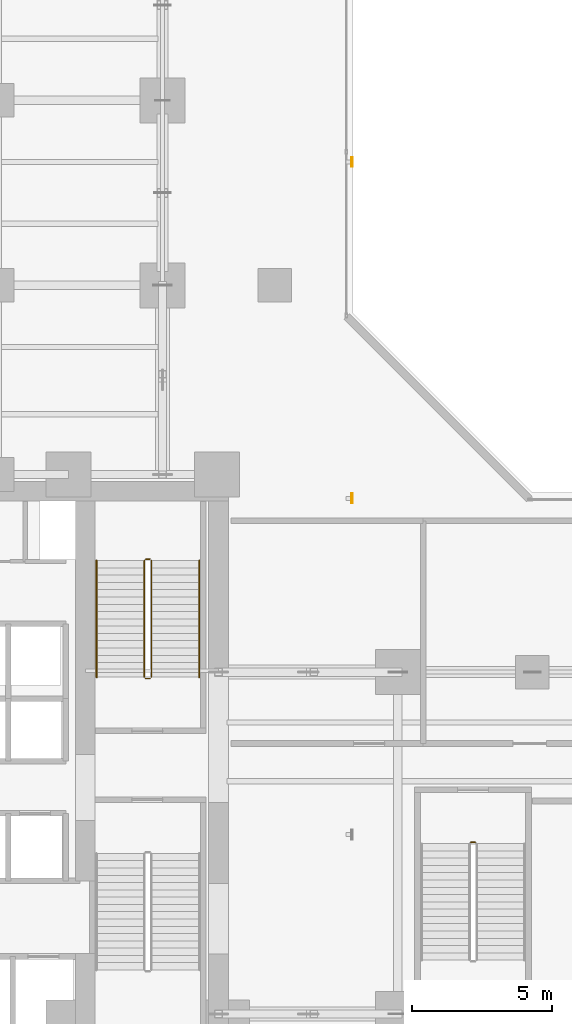
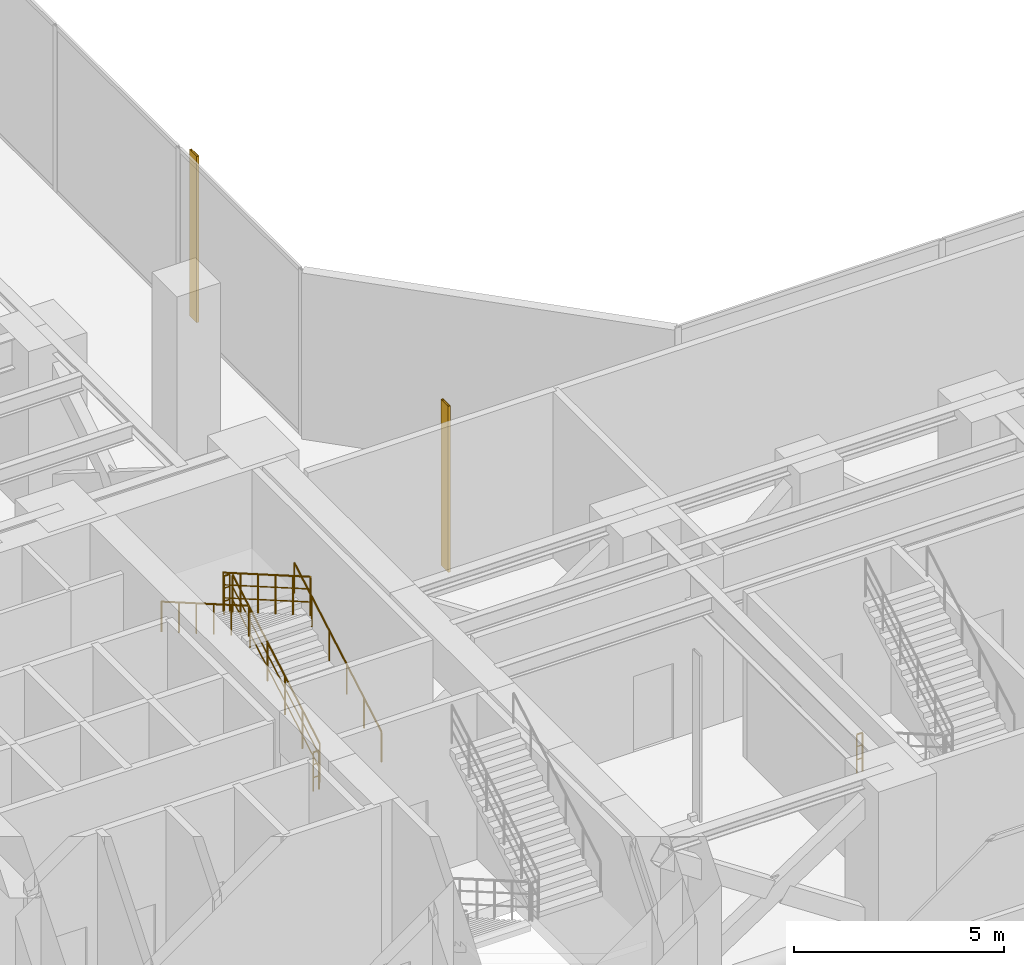
# One storey, part 36 of 36: 7 railings, 2 shading devices.
"""IFC4 building model written with IfcOpenShell, lengths in metres."""

from ifc_helpers import new_model, si_unit, direction, frame, origin, origin_2d, place, context, subcontext, project, spatial, hollow_rectangle, circle, extrude, material, material_profile, profile_set, type_object, element, save


model = new_model("IFC4")

# Units and contexts
model_context = context("Model", 3, precision=1e-05, world=origin(), true_north=direction((0.0, 1.0)))
body_context = subcontext(model_context, "Body", "Model", "MODEL_VIEW")
ifc_project = project(units=[si_unit("LENGTHUNIT", "METRE"), si_unit("AREAUNIT", "SQUARE_METRE"), si_unit("VOLUMEUNIT", "CUBIC_METRE"), si_unit("PLANEANGLEUNIT", "RADIAN"), si_unit("MASSUNIT", "GRAM", prefix="KILO")], contexts=[model_context])

# Site, building, storey
site_placement = place(None, origin())
site = spatial("IfcSite", under=ifc_project, at=site_placement, CompositionType="ELEMENT")
building_placement = place(site_placement, origin())
building = spatial("IfcBuilding", under=site, at=building_placement, Name="Kolvaren Waterfront Exchange", CompositionType="ELEMENT")
storey_placement = place(building_placement, frame((0.0, 0.0, 82.800048828125)))
storey = spatial("IfcBuildingStorey", under=building, at=storey_placement, Name="L21", CompositionType="ELEMENT", Elevation=82.800048828125)

# Shading devices
ifc_material_1 = material(Name="Anodised bronze aluminium 6063-T6", Category="aluminium")
ifc_material_profile = material_profile(ifc_material_1, hollow_rectangle(XDim=0.06005859375, YDim=0.35009765625, WallThickness=0.0048828125, at=origin_2d()), Name="BRZ-FIN-350x60x5")
ifc_profile_set = profile_set([ifc_material_profile], Name="Anodised bronze aluminium 6063-T6")
shading_device_type = type_object("IfcShadingDeviceType", Name="ARC-FIN-350", PredefinedType="USERDEFINED", material=ifc_profile_set)
for number, where, z_axis, x_axis, name in (
    (1, (25.56005859375, 23.60009765625, 0.0), (0.0, 0.0, 1.0), (1.0, 0.0, 0.0), "L21 anodised bronze solar shading fin FIN-L21-E2"),
    (2, (25.56005859375, 35.60009765625, 0.0), (0.0, 0.0, 1.0), (1.0, 0.0, 0.0), "L21 anodised bronze solar shading fin FIN-L21-E3"),
):
    element("IfcShadingDevice", number, at=place(storey_placement, frame(where, z_axis=z_axis, x_axis=x_axis)), inside=storey, type_object=shading_device_type, Name=name, ObjectType="SOLAR FIN", PredefinedType="USERDEFINED", context=body_context, shape_type="SweptSolid", body=[
        extrude(hollow_rectangle(XDim=0.06005859375, YDim=0.35009765625, WallThickness=0.0048828125, at=origin_2d()), origin(), (0.0, 0.0, 1.0), 4.83984375),
    ])

# Railings
ifc_material_2 = material(Name="Stainless steel 316", Category="steel")
railing_type_1 = type_object("IfcRailingType", Name="ARC-GUARD-STAIR", PredefinedType="GUARDRAIL", material=ifc_material_2)
railing_1_placement = place(storey_placement, frame((18.409912109375, 17.219970703125, 0.14990234375)))
element("IfcRailing", 3, at=railing_1_placement, inside=storey, type_object=railing_type_1, Name="L21 ST2 stair guard 1", PredefinedType="GUARDRAIL", context=body_context, shape_type="SweptSolid", body=[
    extrude(circle(Radius=0.02392578125, at=origin_2d()), frame((0.0, 0.0, 1.1259765625), z_axis=(0.0, 0.866167813198, 0.499753258498), x_axis=(-1.0, 0.0, 0.0)), (0.0, 0.0, 1.0), 4.802734375),
    extrude(circle(Radius=0.01611328125, at=origin_2d()), frame((0.0, 0.0, 0.390869140625), z_axis=(0.0, 0.866167813198, 0.499753258498), x_axis=(-1.0, 0.0, 0.0)), (0.0, 0.0, 1.0), 4.802734375),
    extrude(circle(Radius=0.01611328125, at=origin_2d()), frame((0.0, 0.0, 0.7705078125), z_axis=(0.0, 0.866167813198, 0.499753258498), x_axis=(-1.0, 0.0, 0.0)), (0.0, 0.0, 1.0), 4.802734375),
    extrude(circle(Radius=0.02099609375, at=origin_2d()), origin(), (0.0, 0.0, 1.0), 1.101806640625),
    extrude(circle(Radius=0.02099609375, at=origin_2d()), frame((0.0, 0.83203125, 0.47998046875)), (0.0, 0.0, 1.0), 1.101806640625),
    extrude(circle(Radius=0.02099609375, at=origin_2d()), frame((0.0, 1.6640625, 0.9599609375)), (0.0, 0.0, 1.0), 1.101806640625),
    extrude(circle(Radius=0.02099609375, at=origin_2d()), frame((0.0, 2.495849609375, 1.440185546875)), (0.0, 0.0, 1.0), 1.101806640625),
    extrude(circle(Radius=0.02099609375, at=origin_2d()), frame((0.0, 3.327880859375, 1.920166015625)), (0.0, 0.0, 1.0), 1.101806640625),
    extrude(circle(Radius=0.02099609375, at=origin_2d()), frame((0.0, 4.159912109375, 2.400146484375)), (0.0, 0.0, 1.0), 1.101806640625),
])
railing_2_placement = place(storey_placement, frame((18.360107421875, 21.429931640625, 2.550048828125)))
element("IfcRailing", 4, at=railing_2_placement, inside=storey, type_object=railing_type_1, Name="L21 ST2 stair guard 2", PredefinedType="GUARDRAIL", context=body_context, shape_type="SweptSolid", body=[
    extrude(circle(Radius=0.02392578125, at=origin_2d()), frame((0.0, 0.0, 1.1259765625), z_axis=(-1.0, 0.0, 0.0), x_axis=(0.0, -1.0, 0.0)), (0.0, 0.0, 1.0), 0.16015625),
    extrude(circle(Radius=0.01611328125, at=origin_2d()), frame((0.0, 0.0, 0.390869140625), z_axis=(-1.0, 0.0, 0.0), x_axis=(0.0, -1.0, 0.0)), (0.0, 0.0, 1.0), 0.16015625),
    extrude(circle(Radius=0.01611328125, at=origin_2d()), frame((0.0, 0.0, 0.7705078125), z_axis=(-1.0, 0.0, 0.0), x_axis=(0.0, -1.0, 0.0)), (0.0, 0.0, 1.0), 0.16015625),
    extrude(circle(Radius=0.02099609375, at=origin_2d()), origin(), (0.0, 0.0, 1.0), 1.101806640625),
    extrude(circle(Radius=0.02099609375, at=origin_2d()), frame((-0.16015625, 0.0, 0.0)), (0.0, 0.0, 1.0), 1.101806640625),
])
railing_3_placement = place(storey_placement, frame((18.14990234375, 21.3798828125, 2.699951171875)))
element("IfcRailing", 5, at=railing_3_placement, inside=storey, type_object=railing_type_1, Name="L21 ST2 stair guard 3", PredefinedType="GUARDRAIL", context=body_context, shape_type="SweptSolid", body=[
    extrude(circle(Radius=0.02392578125, at=origin_2d()), frame((0.0, 0.0, 1.1259765625), z_axis=(0.0, -0.866189817626, 0.499715118684), x_axis=(1.0, 0.0, 0.0)), (0.0, 0.0, 1.0), 4.802490234375),
    extrude(circle(Radius=0.01611328125, at=origin_2d()), frame((0.0, 0.0, 0.390869140625), z_axis=(0.0, -0.866189817626, 0.499715118684), x_axis=(1.0, 0.0, 0.0)), (0.0, 0.0, 1.0), 4.802490234375),
    extrude(circle(Radius=0.01611328125, at=origin_2d()), frame((0.0, 0.0, 0.7705078125), z_axis=(0.0, -0.866189817626, 0.499715118684), x_axis=(1.0, 0.0, 0.0)), (0.0, 0.0, 1.0), 4.802490234375),
    extrude(circle(Radius=0.02099609375, at=origin_2d()), origin(), (0.0, 0.0, 1.0), 1.101806640625),
    extrude(circle(Radius=0.02099609375, at=origin_2d()), frame((0.0, -0.83203125, 0.47998046875)), (0.0, 0.0, 1.0), 1.101806640625),
    extrude(circle(Radius=0.02099609375, at=origin_2d()), frame((0.0, -1.6640625, 0.9599609375)), (0.0, 0.0, 1.0), 1.101806640625),
    extrude(circle(Radius=0.02099609375, at=origin_2d()), frame((0.0, -2.495849609375, 1.43994140625)), (0.0, 0.0, 1.0), 1.101806640625),
    extrude(circle(Radius=0.02099609375, at=origin_2d()), frame((0.0, -3.327880859375, 1.919921875)), (0.0, 0.0, 1.0), 1.101806640625),
    extrude(circle(Radius=0.02099609375, at=origin_2d()), frame((0.0, -4.159912109375, 2.39990234375)), (0.0, 0.0, 1.0), 1.101806640625),
])
railing_4_placement = place(storey_placement, frame((18.360107421875, 17.169921875, 0.0)))
element("IfcRailing", 6, at=railing_4_placement, inside=storey, type_object=railing_type_1, Name="L21 ST2 stair guard 4", PredefinedType="GUARDRAIL", context=body_context, shape_type="SweptSolid", body=[
    extrude(circle(Radius=0.02392578125, at=origin_2d()), frame((0.0, 0.0, 1.1259765625), z_axis=(-1.0, 0.0, 0.0), x_axis=(0.0, -1.0, 0.0)), (0.0, 0.0, 1.0), 0.16015625),
    extrude(circle(Radius=0.01611328125, at=origin_2d()), frame((0.0, 0.0, 0.390869140625), z_axis=(-1.0, 0.0, 0.0), x_axis=(0.0, -1.0, 0.0)), (0.0, 0.0, 1.0), 0.16015625),
    extrude(circle(Radius=0.01611328125, at=origin_2d()), frame((0.0, 0.0, 0.7705078125), z_axis=(-1.0, 0.0, 0.0), x_axis=(0.0, -1.0, 0.0)), (0.0, 0.0, 1.0), 0.16015625),
    extrude(circle(Radius=0.02099609375, at=origin_2d()), origin(), (0.0, 0.0, 1.0), 1.101806640625),
    extrude(circle(Radius=0.02099609375, at=origin_2d()), frame((-0.16015625, 0.0, 0.0)), (0.0, 0.0, 1.0), 1.101806640625),
])
railing_5_placement = place(storey_placement, frame((29.800048828125, 11.330078125, 0.0)))
element("IfcRailing", 7, at=railing_5_placement, inside=storey, type_object=railing_type_1, Name="L21 ST3 stair guard 4", PredefinedType="GUARDRAIL", context=body_context, shape_type="SweptSolid", body=[
    extrude(circle(Radius=0.02392578125, at=origin_2d()), frame((0.0, 0.0, 1.1259765625), z_axis=(1.0, 0.0, 0.0), x_axis=(0.0, 1.0, 0.0)), (0.0, 0.0, 1.0), 0.159912109375),
    extrude(circle(Radius=0.01611328125, at=origin_2d()), frame((0.0, 0.0, 0.390869140625), z_axis=(1.0, 0.0, 0.0), x_axis=(0.0, 1.0, 0.0)), (0.0, 0.0, 1.0), 0.159912109375),
    extrude(circle(Radius=0.01611328125, at=origin_2d()), frame((0.0, 0.0, 0.7705078125), z_axis=(1.0, 0.0, 0.0), x_axis=(0.0, 1.0, 0.0)), (0.0, 0.0, 1.0), 0.159912109375),
    extrude(circle(Radius=0.02099609375, at=origin_2d()), origin(), (0.0, 0.0, 1.0), 1.101806640625),
    extrude(circle(Radius=0.02099609375, at=origin_2d()), frame((0.159912109375, 0.0, 0.0)), (0.0, 0.0, 1.0), 1.101806640625),
])
railing_type_2 = type_object("IfcRailingType", Name="ARC-HANDRAIL-900", PredefinedType="HANDRAIL", material=ifc_material_2)
railing_6_placement = place(storey_placement, frame((20.110107421875, 17.219970703125, 0.14990234375)))
element("IfcRailing", 8, at=railing_6_placement, inside=storey, type_object=railing_type_2, Name="L21 ST2 stair handrail 1", PredefinedType="HANDRAIL", context=body_context, shape_type="SweptSolid", body=[
    extrude(circle(Radius=0.02392578125, at=origin_2d()), frame((0.0, 0.0, 0.8759765625), z_axis=(0.0, 0.866167813198, 0.499753258498), x_axis=(-1.0, 0.0, 0.0)), (0.0, 0.0, 1.0), 4.802734375),
    extrude(circle(Radius=0.02099609375, at=origin_2d()), origin(), (0.0, 0.0, 1.0), 0.851806640625),
    extrude(circle(Radius=0.02099609375, at=origin_2d()), frame((0.0, 0.83203125, 0.47998046875)), (0.0, 0.0, 1.0), 0.851806640625),
    extrude(circle(Radius=0.02099609375, at=origin_2d()), frame((0.0, 1.6640625, 0.9599609375)), (0.0, 0.0, 1.0), 0.851806640625),
    extrude(circle(Radius=0.02099609375, at=origin_2d()), frame((0.0, 2.495849609375, 1.440185546875)), (0.0, 0.0, 1.0), 0.851806640625),
    extrude(circle(Radius=0.02099609375, at=origin_2d()), frame((0.0, 3.327880859375, 1.920166015625)), (0.0, 0.0, 1.0), 0.851806640625),
    extrude(circle(Radius=0.02099609375, at=origin_2d()), frame((0.0, 4.159912109375, 2.400146484375)), (0.0, 0.0, 1.0), 0.851806640625),
])
railing_7_placement = place(storey_placement, frame((16.449951171875, 21.3798828125, 2.699951171875)))
element("IfcRailing", 9, at=railing_7_placement, inside=storey, type_object=railing_type_2, Name="L21 ST2 stair handrail 2", PredefinedType="HANDRAIL", context=body_context, shape_type="SweptSolid", body=[
    extrude(circle(Radius=0.02392578125, at=origin_2d()), frame((0.0, 0.0, 0.8759765625), z_axis=(0.0, -0.866189817626, 0.499715118684), x_axis=(1.0, 0.0, 0.0)), (0.0, 0.0, 1.0), 4.802490234375),
    extrude(circle(Radius=0.02099609375, at=origin_2d()), origin(), (0.0, 0.0, 1.0), 0.851806640625),
    extrude(circle(Radius=0.02099609375, at=origin_2d()), frame((0.0, -0.83203125, 0.47998046875)), (0.0, 0.0, 1.0), 0.851806640625),
    extrude(circle(Radius=0.02099609375, at=origin_2d()), frame((0.0, -1.6640625, 0.9599609375)), (0.0, 0.0, 1.0), 0.851806640625),
    extrude(circle(Radius=0.02099609375, at=origin_2d()), frame((0.0, -2.495849609375, 1.43994140625)), (0.0, 0.0, 1.0), 0.851806640625),
    extrude(circle(Radius=0.02099609375, at=origin_2d()), frame((0.0, -3.327880859375, 1.919921875)), (0.0, 0.0, 1.0), 0.851806640625),
    extrude(circle(Radius=0.02099609375, at=origin_2d()), frame((0.0, -4.159912109375, 2.39990234375)), (0.0, 0.0, 1.0), 0.851806640625),
])

save(model, "model.ifc")
